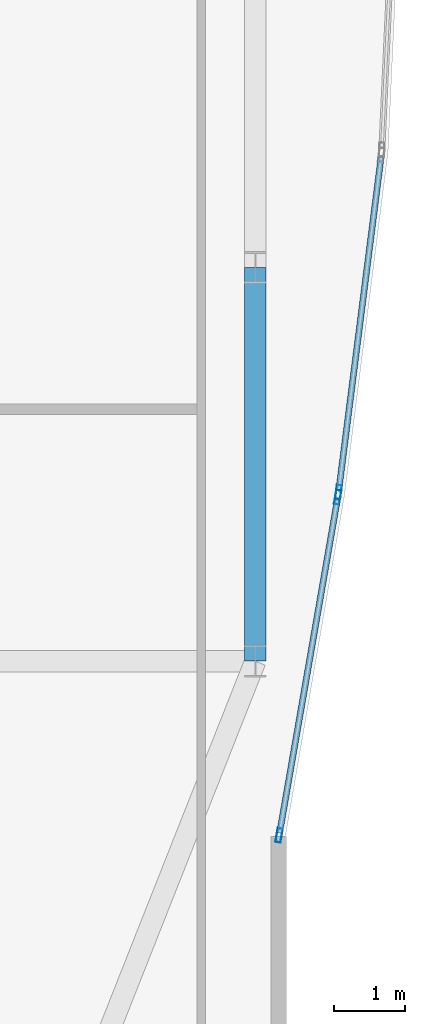
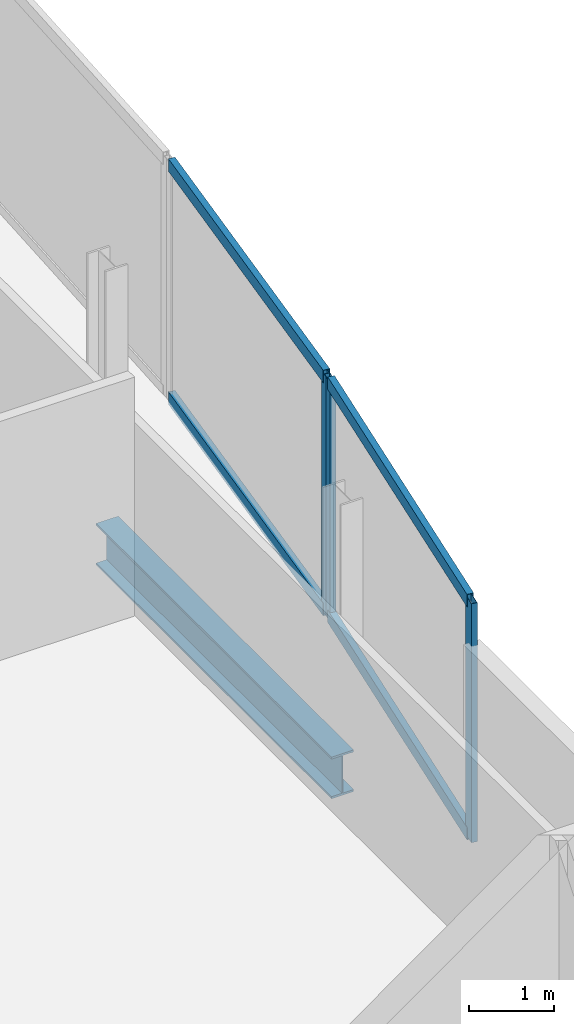
# One storey, part 16 of 30: 7 members, 1 beam, 2 elements without a shape of their own.
"""IFC4 building model written with IfcOpenShell, lengths in metres."""

from ifc_helpers import new_model, si_unit, direction, frame, origin, origin_2d, place, context, subcontext, project, spatial, hollow_rectangle, i_section, extrude, material, material_profile, profile_set, type_object, element, aggregate, save


model = new_model("IFC4")

# Units and contexts
model_context = context("Model", 3, precision=1e-05, world=origin(), true_north=direction((0.0, 1.0)))
body_context = subcontext(model_context, "Body", "Model", "MODEL_VIEW")
ifc_project = project(units=[si_unit("LENGTHUNIT", "METRE"), si_unit("AREAUNIT", "SQUARE_METRE"), si_unit("VOLUMEUNIT", "CUBIC_METRE"), si_unit("PLANEANGLEUNIT", "RADIAN"), si_unit("MASSUNIT", "GRAM", prefix="KILO")], contexts=[model_context])

# Site, building, storey
site_placement = place(None, origin())
site = spatial("IfcSite", under=ifc_project, at=site_placement, CompositionType="ELEMENT")
building_placement = place(site_placement, origin())
building = spatial("IfcBuilding", under=site, at=building_placement, Name="Khoronbel Lancet Exchange", CompositionType="ELEMENT")
storey_placement = place(building_placement, frame((0.0, 0.0, 224.60009765625)))
storey = spatial("IfcBuildingStorey", under=building, at=storey_placement, Name="L57", CompositionType="ELEMENT", Elevation=224.60009765625)

# Beam
ifc_material_1 = material(Name="Steel S355", Category="steel")
ifc_material_profile_1 = material_profile(ifc_material_1, i_section(OverallWidth=0.300048828125, OverallDepth=0.60009765625, WebThickness=0.015380859375, FlangeThickness=0.030029296875, at=origin_2d()), Name="HEB 600")
ifc_profile_set_1 = profile_set([ifc_material_profile_1], Name="Steel S355")
beam_type = type_object("IfcBeamType", Name="BM-BSP2", PredefinedType="SPANDREL", material=ifc_profile_set_1)
beam_placement = place(storey_placement, frame((65.6298828125, 19.199951171875, -0.460205078125), z_axis=(0.0, 1.0, 0.0), x_axis=(-1.0, 0.0, 0.0)))
element("IfcBeam", 1, at=beam_placement, inside=storey, type_object=beam_type, Name="Level L57 perimeter spandrel beam SP11", PredefinedType="SPANDREL", context=body_context, shape_type="SweptSolid", body=[
    extrude(i_section(OverallWidth=0.300048828125, OverallDepth=0.60009765625, WebThickness=0.015380859375, FlangeThickness=0.030029296875, at=origin_2d()), origin(), (0.0, 0.0, 1.0), 5.550048828125),
])

# Curtain wall, member
ifc_material_2 = material(Name="Low-E Solar Control Insulating Glass", Category="glass")
curtain_wall_type = type_object("IfcCurtainWallType", Name="CW-4", PredefinedType="NOTDEFINED", material=ifc_material_2)
curtain_wall_1_placement = place(storey_placement, origin())
curtain_wall_1 = element("IfcCurtainWall", 2, at=curtain_wall_1_placement, inside=storey, type_object=curtain_wall_type, Name="Unitised curtain wall CW-L57-E21", PredefinedType="NOTDEFINED")
ifc_material_3 = material(Name="Bronze-Anodised Aluminium 6063-T6", Category="aluminium")
ifc_material_profile_2 = material_profile(ifc_material_3, hollow_rectangle(XDim=0.074951171875, YDim=0.199951171875, WallThickness=0.0048828125, at=origin_2d()), Name="ALU MULLION 75x200")
ifc_profile_set_2 = profile_set([ifc_material_profile_2], Name="Bronze-Anodised Aluminium 6063-T6")
member_type_1 = type_object("IfcMemberType", Name="MEM-CWM2", PredefinedType="MULLION", material=ifc_profile_set_2)
member_1_placement = place(storey_placement, frame((66.8037109375, 21.583984375, 0.0), z_axis=(0.0, 0.0, 1.0), x_axis=(0.992040249604, -0.125921178381, 0.0)))
member_1 = element("IfcMember", 3, at=member_1_placement, type_object=member_type_1, Name="CW4 mullion 2", PredefinedType="MULLION", context=body_context, shape_type="SweptSolid", body=[
    extrude(hollow_rectangle(XDim=0.074951171875, YDim=0.199951171875, WallThickness=0.0048828125, at=origin_2d()), origin(), (0.0, 0.0, 1.0), 3.43994140625),
])

# Curtain wall, members
curtain_wall_2_placement = place(storey_placement, origin())
curtain_wall_2 = element("IfcCurtainWall", 4, at=curtain_wall_2_placement, inside=storey, type_object=curtain_wall_type, Name="Unitised curtain wall CW-L57-E22", PredefinedType="NOTDEFINED")
member_2_placement = place(storey_placement, frame((66.79248046875, 21.509765625, 0.0), z_axis=(0.0, 0.0, 1.0), x_axis=(0.985299795883, -0.170834165885, 0.0)))
member_2 = element("IfcMember", 5, at=member_2_placement, type_object=member_type_1, Name="CW4 mullion 1", PredefinedType="MULLION", context=body_context, shape_type="SweptSolid", body=[
    extrude(hollow_rectangle(XDim=0.074951171875, YDim=0.199951171875, WallThickness=0.0048828125, at=origin_2d()), origin(), (0.0, 0.0, 1.0), 3.43994140625),
])
member_3_placement = place(storey_placement, frame((65.96630859375, 16.74462890625, 0.0), z_axis=(0.0, 0.0, 1.0), x_axis=(0.985299795883, -0.170834165885, 0.0)))
member_3 = element("IfcMember", 6, at=member_3_placement, type_object=member_type_1, Name="CW4 mullion 2", PredefinedType="MULLION", context=body_context, shape_type="SweptSolid", body=[
    extrude(hollow_rectangle(XDim=0.074951171875, YDim=0.199951171875, WallThickness=0.0048828125, at=origin_2d()), origin(), (0.0, 0.0, 1.0), 3.43994140625),
])

# Member
ifc_material_profile_3 = material_profile(ifc_material_3, hollow_rectangle(XDim=0.0849609375, YDim=0.179931640625, WallThickness=0.0048828125, at=origin_2d()), Name="ALU TRANSOM 85x180")
ifc_profile_set_3 = profile_set([ifc_material_profile_3], Name="Bronze-Anodised Aluminium 6063-T6")
member_type_2 = type_object("IfcMemberType", Name="MEM-CWT1", PredefinedType="USERDEFINED", material=ifc_profile_set_3)
member_4_placement = place(storey_placement, frame((67.40234375, 26.300048828125, 0.04248046875), z_axis=(-0.125939384523, -0.992037938501, 0.0), x_axis=(0.992037938501, -0.125939384523, 0.0)))
member_4 = element("IfcMember", 7, at=member_4_placement, type_object=member_type_2, Name="CW4 transom 1.1", ObjectType="TRANSOM", PredefinedType="USERDEFINED", context=body_context, shape_type="SweptSolid", body=[
    extrude(hollow_rectangle(XDim=0.0849609375, YDim=0.179931640625, WallThickness=0.0048828125, at=origin_2d()), origin(), (0.0, 0.0, 1.0), 4.716552734375),
])

member_5_placement = place(storey_placement, frame((67.40234375, 26.300048828125, 3.3974609375), z_axis=(-0.125939384523, -0.992037938501, 0.0), x_axis=(0.992037938501, -0.125939384523, 0.0)))
member_5 = element("IfcMember", 8, at=member_5_placement, type_object=member_type_2, Name="CW4 transom 1.2", ObjectType="TRANSOM", PredefinedType="USERDEFINED", context=body_context, shape_type="SweptSolid", body=[
    extrude(hollow_rectangle(XDim=0.0849609375, YDim=0.179931640625, WallThickness=0.0048828125, at=origin_2d()), origin(), (0.0, 0.0, 1.0), 4.716552734375),
])

aggregate(curtain_wall_1, [member_1, member_4, member_5])

member_6_placement = place(storey_placement, frame((66.7861328125, 21.472900390625, 0.04248046875), z_axis=(-0.170798006922, -0.985306064546, 0.0), x_axis=(0.985306064546, -0.170798006922, 0.0)))
member_6 = element("IfcMember", 9, at=member_6_placement, type_object=member_type_2, Name="CW4 transom 1.1", ObjectType="TRANSOM", PredefinedType="USERDEFINED", context=body_context, shape_type="SweptSolid", body=[
    extrude(hollow_rectangle(XDim=0.0849609375, YDim=0.179931640625, WallThickness=0.0048828125, at=origin_2d()), origin(), (0.0, 0.0, 1.0), 4.761474609375),
])

member_7_placement = place(storey_placement, frame((66.7861328125, 21.472900390625, 3.3974609375), z_axis=(-0.170798006922, -0.985306064546, 0.0), x_axis=(0.985306064546, -0.170798006922, 0.0)))
member_7 = element("IfcMember", 10, at=member_7_placement, type_object=member_type_2, Name="CW4 transom 1.2", ObjectType="TRANSOM", PredefinedType="USERDEFINED", context=body_context, shape_type="SweptSolid", body=[
    extrude(hollow_rectangle(XDim=0.0849609375, YDim=0.179931640625, WallThickness=0.0048828125, at=origin_2d()), origin(), (0.0, 0.0, 1.0), 4.761474609375),
])

aggregate(curtain_wall_2, [member_2, member_3, member_6, member_7])

save(model, "model.ifc")
